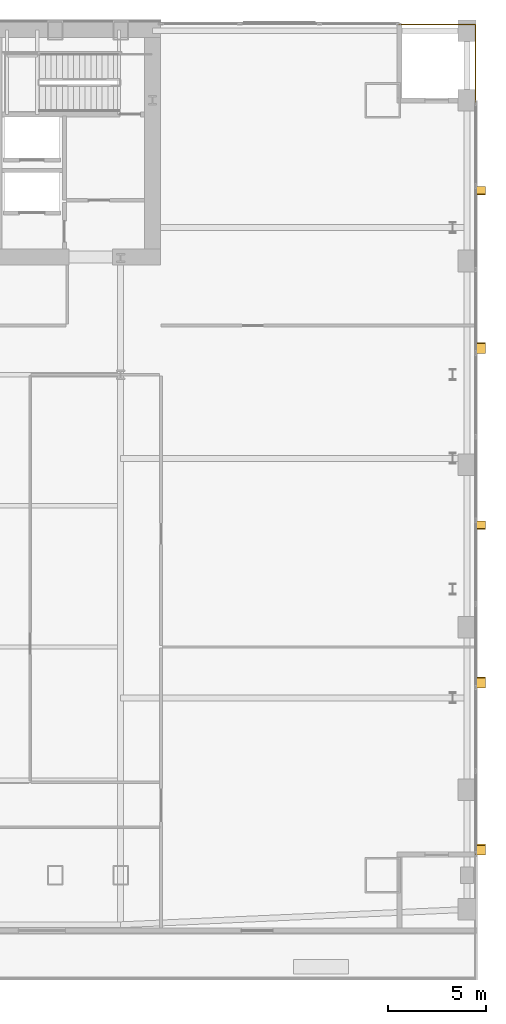
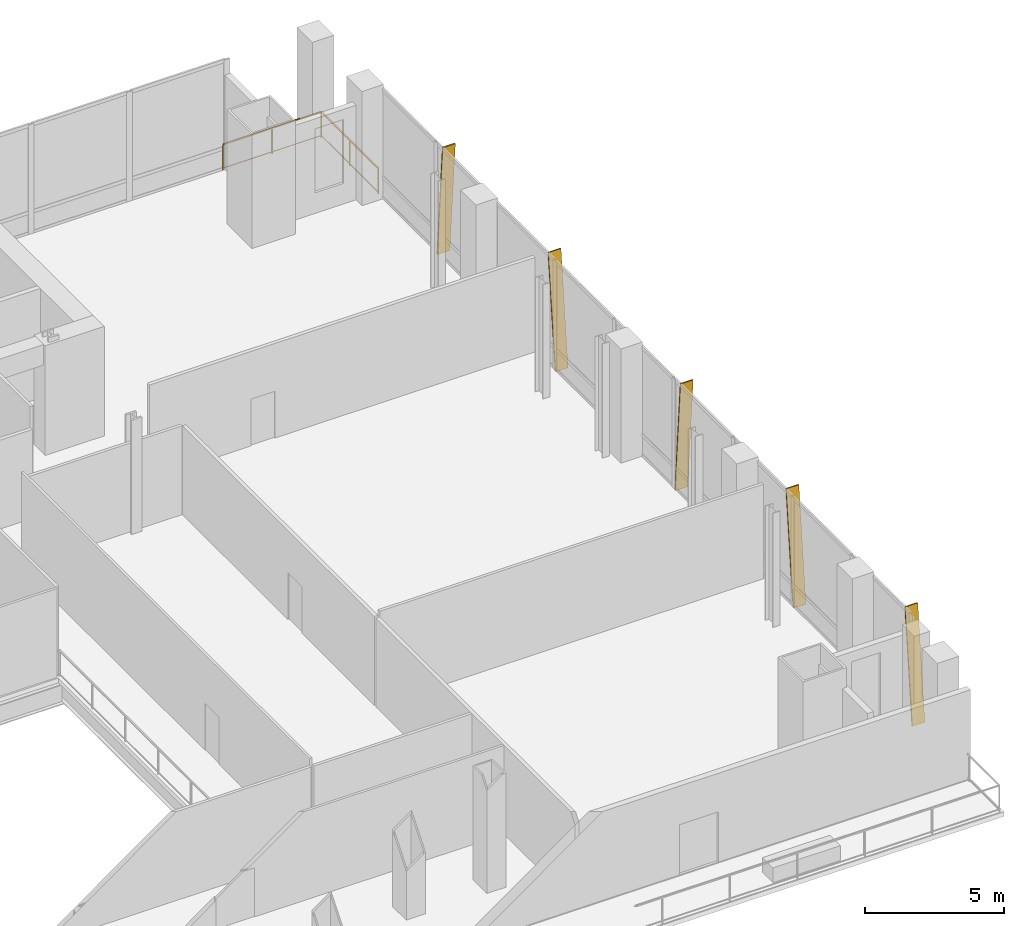
# One storey, part 26 of 26: 5 shading devices, 1 railing.
"""IFC4 building model written with IfcOpenShell, lengths in metres."""

from ifc_helpers import new_model, si_unit, direction, frame, origin, origin_2d, place, context, subcontext, project, spatial, polyline, rectangle, outline, extrude, material, layer, layer_set, type_object, element, save


model = new_model("IFC4")

# Units and contexts
model_context = context("Model", 3, precision=1e-05, world=origin(), true_north=direction((0.0, 1.0)))
body_context = subcontext(model_context, "Body", "Model", "MODEL_VIEW")
ifc_project = project(units=[si_unit("LENGTHUNIT", "METRE"), si_unit("AREAUNIT", "SQUARE_METRE"), si_unit("VOLUMEUNIT", "CUBIC_METRE"), si_unit("PLANEANGLEUNIT", "RADIAN"), si_unit("MASSUNIT", "GRAM", prefix="KILO")], contexts=[model_context])

# Site, building, storey
site_placement = place(None, origin())
site = spatial("IfcSite", under=ifc_project, at=site_placement, CompositionType="ELEMENT")
building_placement = place(site_placement, origin())
building = spatial("IfcBuilding", under=site, at=building_placement, Name="Khoronbel Lancet Exchange", CompositionType="ELEMENT")
storey_placement = place(building_placement, frame((0.0, 0.0, 5.39990234375)))
storey = spatial("IfcBuildingStorey", under=building, at=storey_placement, Name="L01", CompositionType="ELEMENT", Elevation=5.39990234375)

# Railing
ifc_material_1 = material(Name="Bronze-Anodised Stainless Steel", Category="steel")
railing_type = type_object("IfcRailingType", Name="RL-EXT115", PredefinedType="GUARDRAIL", material=ifc_material_1)
railing_placement = place(storey_placement, frame((68.699951171875, 53.580078125, 0.0)))
element("IfcRailing", 1, at=railing_placement, inside=storey, type_object=railing_type, Name="Level L01 north-east colonnade corner loggia guardrail", PredefinedType="GUARDRAIL", context=body_context, shape_type="SweptSolid", body=[
    extrude(rectangle(XDim=0.052001953125, YDim=0.052001953125, at=origin_2d()), frame((0.0, 0.0, 1.1240234375), z_axis=(1.0, 0.0, 0.0), x_axis=(0.0, 1.0, 0.0)), (0.0, 0.0, 1.0), 4.080078125),
    extrude(rectangle(XDim=0.02587890625, YDim=0.02587890625, at=origin_2d()), frame((0.0, 0.0, 0.080078125), z_axis=(1.0, 0.0, 0.0), x_axis=(0.0, 1.0, 0.0)), (0.0, 0.0, 1.0), 4.080078125),
    extrude(rectangle(XDim=0.052001953125, YDim=0.052001953125, at=origin_2d()), frame((4.080078125, 0.0, 1.1240234375), z_axis=(0.0, -1.0, 0.0), x_axis=(1.0, 0.0, 0.0)), (0.0, 0.0, 1.0), 4.080078125),
    extrude(rectangle(XDim=0.02587890625, YDim=0.02587890625, at=origin_2d()), frame((4.080078125, 0.0, 0.080078125), z_axis=(0.0, -1.0, 0.0), x_axis=(1.0, 0.0, 0.0)), (0.0, 0.0, 1.0), 4.080078125),
    extrude(rectangle(XDim=0.0419921875, YDim=0.0419921875, at=origin_2d()), origin(), (0.0, 0.0, 1.0), 1.097900390625),
    extrude(rectangle(XDim=0.0419921875, YDim=0.0419921875, at=origin_2d()), frame((2.0400390625, 0.0, 0.0)), (0.0, 0.0, 1.0), 1.097900390625),
    extrude(rectangle(XDim=0.0419921875, YDim=0.0419921875, at=origin_2d()), frame((4.080078125, 0.0, 0.0)), (0.0, 0.0, 1.0), 1.097900390625),
    extrude(rectangle(XDim=0.0419921875, YDim=0.0419921875, at=origin_2d()), frame((4.080078125, -2.0400390625, 0.0)), (0.0, 0.0, 1.0), 1.097900390625),
    extrude(rectangle(XDim=0.0419921875, YDim=0.0419921875, at=origin_2d()), frame((4.080078125, -4.080078125, 0.0)), (0.0, 0.0, 1.0), 1.097900390625),
])

# Shading devices
ifc_material_2 = material(Name="Bronze-Anodised Aluminium 6063-T6", Category="aluminium")
ifc_layer = layer(ifc_material_2, 0.054931640625, Name="Bronze-Anodised Aluminium 6063-T6")
ifc_layer_set = layer_set([ifc_layer], Name="Bronze-Anodised Aluminium 6063-T6")
shading_device_type = type_object("IfcShadingDeviceType", Name="SHD-FIN1", PredefinedType="USERDEFINED", material=ifc_layer_set)
for number, where, z_axis, x_axis, name in (
    (2, (72.780029296875, 11.172607421875, -0.079833984375), (0.0, -0.994775784516, 0.102083977887), (1.0, 0.0, 0.0), "Slanted bronze solar fin CW-L01-EAST-0"),
    (3, (72.780029296875, 19.705810546875, -0.079833984375), (0.0, -0.994775784516, 0.102083977887), (1.0, 0.0, 0.0), "Slanted bronze solar fin CW-L01-EAST-2"),
):
    element("IfcShadingDevice", number, at=place(storey_placement, frame(where, z_axis=z_axis, x_axis=x_axis)), inside=storey, type_object=shading_device_type, Name=name, ObjectType="FIN", PredefinedType="USERDEFINED", context=body_context, shape_type="SweptSolid", body=[
        extrude(outline(polyline([(0.0, 0.0), (0.52001953125, 0.0), (0.52001953125, 4.94580078125), (0.0, 4.94580078125), (0.0, 0.0)])), origin(), (0.0, 0.0, -1.0), 0.054931640625),
    ])
shading_device_1_placement = place(storey_placement, frame((72.780029296875, 28.2392578125, -0.079833984375), z_axis=(0.0, 0.996792274735, 0.080032249927), x_axis=(1.0, 0.0, 0.0)))
element("IfcShadingDevice", 4, at=shading_device_1_placement, inside=storey, type_object=shading_device_type, Name="Slanted bronze solar fin CW-L01-EAST-4", ObjectType="FIN", PredefinedType="USERDEFINED", context=body_context, shape_type="SweptSolid", body=[
    extrude(outline(polyline([(0.0, 0.0), (0.52001953125, 0.0), (0.52001953125, -4.935791015625), (0.0, -4.935791015625), (0.0, 0.0)])), origin(), (0.0, 0.0, -1.0), 0.054931640625),
])
shading_device_2_placement = place(storey_placement, frame((72.780029296875, 36.7724609375, -0.079833984375), z_axis=(0.0, -0.994770770432, 0.102132826718), x_axis=(1.0, 0.0, 0.0)))
element("IfcShadingDevice", 5, at=shading_device_2_placement, inside=storey, type_object=shading_device_type, Name="Slanted bronze solar fin CW-L01-EAST-6", ObjectType="FIN", PredefinedType="USERDEFINED", context=body_context, shape_type="SweptSolid", body=[
    extrude(outline(polyline([(0.0, 0.0), (0.52001953125, 0.0), (0.52001953125, 4.94580078125), (0.0, 4.94580078125), (0.0, 0.0)])), origin(), (0.0, 0.0, -1.0), 0.054931640625),
])
shading_device_3_placement = place(storey_placement, frame((72.780029296875, 45.305908203125, -0.079833984375), z_axis=(0.0, 0.996792274735, 0.080032249927), x_axis=(1.0, 0.0, 0.0)))
element("IfcShadingDevice", 6, at=shading_device_3_placement, inside=storey, type_object=shading_device_type, Name="Slanted bronze solar fin CW-L01-EAST-8", ObjectType="FIN", PredefinedType="USERDEFINED", context=body_context, shape_type="SweptSolid", body=[
    extrude(outline(polyline([(0.0, 0.0), (0.52001953125, 0.0), (0.52001953125, -4.935791015625), (0.0, -4.935791015625), (0.0, 0.0)])), origin(), (0.0, 0.0, -1.0), 0.054931640625),
])

save(model, "model.ifc")
